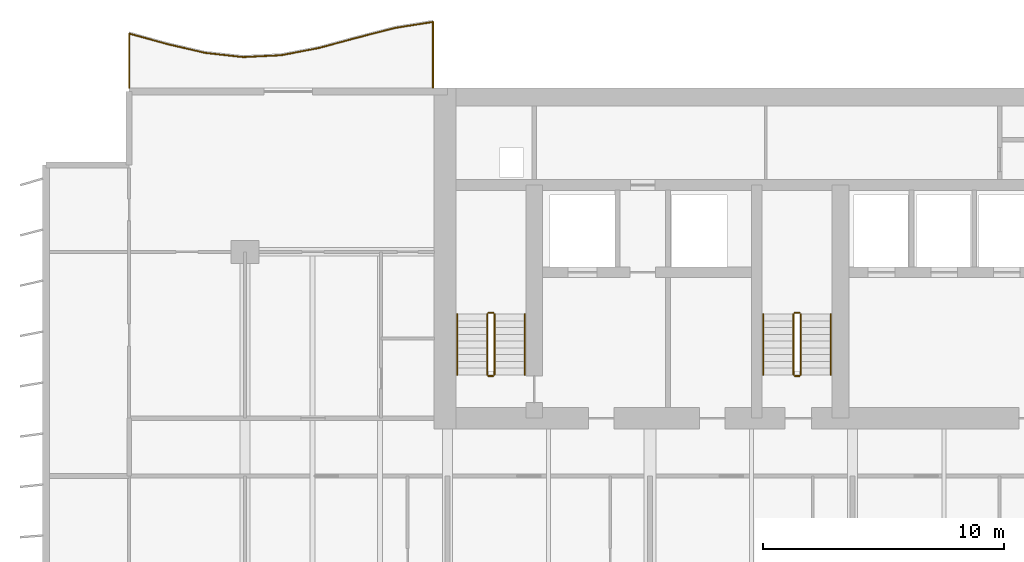
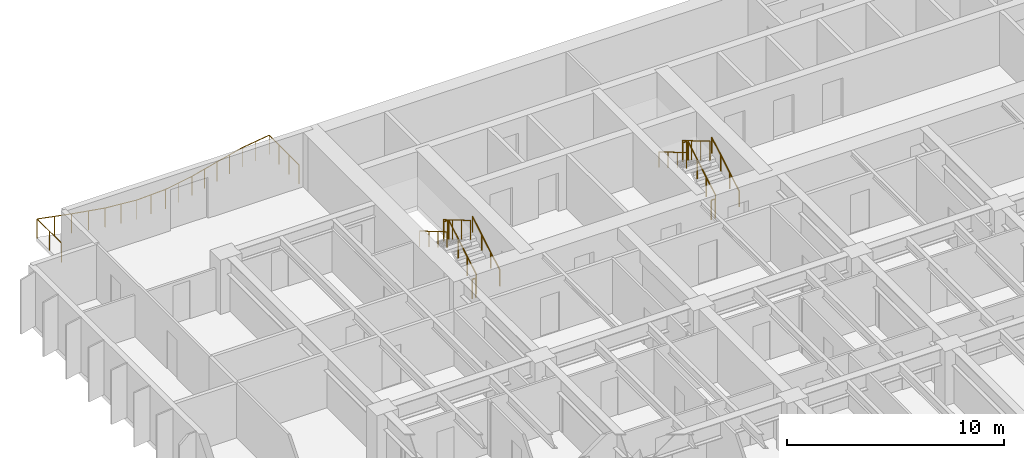
# One storey, part 16 of 18: 13 railings.
"""IFC4 building model written with IfcOpenShell, lengths in metres."""

from ifc_helpers import new_model, si_unit, direction, frame, origin, origin_2d, place, context, subcontext, project, spatial, circle, extrude, material, type_object, element, save


model = new_model("IFC4")

# Units and contexts
model_context = context("Model", 3, precision=1e-05, world=origin(), true_north=direction((0.0, 1.0)))
body_context = subcontext(model_context, "Body", "Model", "MODEL_VIEW")
ifc_project = project(units=[si_unit("LENGTHUNIT", "METRE"), si_unit("AREAUNIT", "SQUARE_METRE"), si_unit("VOLUMEUNIT", "CUBIC_METRE"), si_unit("PLANEANGLEUNIT", "RADIAN"), si_unit("MASSUNIT", "GRAM", prefix="KILO")], contexts=[model_context])

# Site, building, storey
site_placement = place(None, origin())
site = spatial("IfcSite", under=ifc_project, at=site_placement, CompositionType="ELEMENT")
building_placement = place(site_placement, origin())
building = spatial("IfcBuilding", under=site, at=building_placement, Name="Caelmar Bay Residences", CompositionType="ELEMENT")
storey_placement = place(building_placement, frame((0.0, 0.0, 36.60009765625)))
storey = spatial("IfcBuildingStorey", under=building, at=storey_placement, Name="L08", CompositionType="ELEMENT", Elevation=36.60009765625)

# Railings
ifc_material_1 = material(Name="Anodised bronze handrail with laminated hurricane glass infill", Category="glass")
railing_type_1 = type_object("IfcRailingType", Name="RL-BAL-1100", PredefinedType="BALUSTRADE", material=ifc_material_1)
railing_1_placement = place(storey_placement, frame((17.699951171875, 50.60009765625, 0.0)))
element("IfcRailing", 1, at=railing_1_placement, inside=storey, type_object=railing_type_1, Name="L08 north_west Balcony Balustrade", PredefinedType="BALUSTRADE", context=body_context, shape_type="SweptSolid", body=[
    extrude(circle(Radius=0.02392578125, at=origin_2d()), frame((0.0, 0.0, 1.076171875), z_axis=(0.0, 1.0, 0.0), x_axis=(-1.0, 0.0, 0.0)), (0.0, 0.0, 1.0), 2.733154296875),
    extrude(circle(Radius=0.02392578125, at=origin_2d()), frame((0.0, 2.733154296875, 1.076171875), z_axis=(-0.98772942327, -0.156174858431, 0.0), x_axis=(0.156174858431, -0.98772942327, 0.0)), (0.0, 0.0, 1.0), 1.594482421875),
    extrude(circle(Radius=0.02392578125, at=origin_2d()), frame((-1.574951171875, 2.484130859375, 1.076171875), z_axis=(-0.968414261795, -0.249346781715, 0.0), x_axis=(0.249346781715, -0.968414261795, 0.0)), (0.0, 0.0, 1.0), 1.626220703125),
    extrude(circle(Radius=0.02392578125, at=origin_2d()), frame((-3.14990234375, 2.07861328125, 1.076171875), z_axis=(-0.965420419953, -0.260697933895, 0.0), x_axis=(0.260697933895, -0.965420419953, 0.0)), (0.0, 0.0, 1.0), 1.63134765625),
    extrude(circle(Radius=0.02392578125, at=origin_2d()), frame((-4.724853515625, 1.6533203125, 1.076171875), z_axis=(-0.982140830907, -0.18814725155, 0.0), x_axis=(0.18814725155, -0.982140830907, 0.0)), (0.0, 0.0, 1.0), 1.603759765625),
    extrude(circle(Radius=0.02392578125, at=origin_2d()), frame((-6.300048828125, 1.3515625, 1.076171875), z_axis=(-0.998824997948, -0.048462598722, 0.0), x_axis=(0.048462598722, -0.998824997948, 0.0)), (0.0, 0.0, 1.0), 1.576904296875),
    extrude(circle(Radius=0.02392578125, at=origin_2d()), frame((-7.875, 1.275146484375, 1.076171875), z_axis=(-0.993913760533, 0.110160957802, 0.0), x_axis=(-0.110160957802, -0.993913760533, 0.0)), (0.0, 0.0, 1.0), 1.584716796875),
    extrude(circle(Radius=0.02392578125, at=origin_2d()), frame((-9.449951171875, 1.44970703125, 1.076171875), z_axis=(-0.973949121844, 0.226766637887, 0.0), x_axis=(-0.226766637887, -0.973949121844, 0.0)), (0.0, 0.0, 1.0), 1.6171875),
    extrude(circle(Radius=0.02392578125, at=origin_2d()), frame((-11.02490234375, 1.81640625, 1.076171875), z_axis=(-0.963861744869, 0.266402959402, 0.0), x_axis=(-0.266402959402, -0.963861744869, 0.0)), (0.0, 0.0, 1.0), 1.634033203125),
    extrude(circle(Radius=0.02392578125, at=origin_2d()), frame((-12.599853515625, 2.251708984375, 1.076171875), z_axis=(0.0, -1.0, 0.0), x_axis=(1.0, 0.0, 0.0)), (0.0, 0.0, 1.0), 2.251708984375),
    extrude(circle(Radius=0.02099609375, at=origin_2d()), origin(), (0.0, 0.0, 1.0), 1.052001953125),
    extrude(circle(Radius=0.02099609375, at=origin_2d()), frame((0.0, 0.9111328125, 0.0)), (0.0, 0.0, 1.0), 1.052001953125),
    extrude(circle(Radius=0.02099609375, at=origin_2d()), frame((0.0, 1.822021484375, 0.0)), (0.0, 0.0, 1.0), 1.052001953125),
    extrude(circle(Radius=0.02099609375, at=origin_2d()), frame((0.0, 2.733154296875, 0.0)), (0.0, 0.0, 1.0), 1.052001953125),
    extrude(circle(Radius=0.02099609375, at=origin_2d()), frame((-0.78759765625, 2.608642578125, 0.0)), (0.0, 0.0, 1.0), 1.052001953125),
    extrude(circle(Radius=0.02099609375, at=origin_2d()), frame((-1.574951171875, 2.484130859375, 0.0)), (0.0, 0.0, 1.0), 1.052001953125),
    extrude(circle(Radius=0.02099609375, at=origin_2d()), frame((-2.3623046875, 2.28125, 0.0)), (0.0, 0.0, 1.0), 1.052001953125),
    extrude(circle(Radius=0.02099609375, at=origin_2d()), frame((-3.14990234375, 2.07861328125, 0.0)), (0.0, 0.0, 1.0), 1.052001953125),
    extrude(circle(Radius=0.02099609375, at=origin_2d()), frame((-3.9375, 1.865966796875, 0.0)), (0.0, 0.0, 1.0), 1.052001953125),
    extrude(circle(Radius=0.02099609375, at=origin_2d()), frame((-4.724853515625, 1.6533203125, 0.0)), (0.0, 0.0, 1.0), 1.052001953125),
    extrude(circle(Radius=0.02099609375, at=origin_2d()), frame((-5.512451171875, 1.50244140625, 0.0)), (0.0, 0.0, 1.0), 1.052001953125),
    extrude(circle(Radius=0.02099609375, at=origin_2d()), frame((-6.300048828125, 1.3515625, 0.0)), (0.0, 0.0, 1.0), 1.052001953125),
    extrude(circle(Radius=0.02099609375, at=origin_2d()), frame((-7.08740234375, 1.3134765625, 0.0)), (0.0, 0.0, 1.0), 1.052001953125),
    extrude(circle(Radius=0.02099609375, at=origin_2d()), frame((-7.875, 1.275146484375, 0.0)), (0.0, 0.0, 1.0), 1.052001953125),
    extrude(circle(Radius=0.02099609375, at=origin_2d()), frame((-8.66259765625, 1.3623046875, 0.0)), (0.0, 0.0, 1.0), 1.052001953125),
    extrude(circle(Radius=0.02099609375, at=origin_2d()), frame((-9.449951171875, 1.44970703125, 0.0)), (0.0, 0.0, 1.0), 1.052001953125),
    extrude(circle(Radius=0.02099609375, at=origin_2d()), frame((-10.2373046875, 1.633056640625, 0.0)), (0.0, 0.0, 1.0), 1.052001953125),
    extrude(circle(Radius=0.02099609375, at=origin_2d()), frame((-11.02490234375, 1.81640625, 0.0)), (0.0, 0.0, 1.0), 1.052001953125),
    extrude(circle(Radius=0.02099609375, at=origin_2d()), frame((-11.8125, 2.0341796875, 0.0)), (0.0, 0.0, 1.0), 1.052001953125),
    extrude(circle(Radius=0.02099609375, at=origin_2d()), frame((-12.599853515625, 2.251708984375, 0.0)), (0.0, 0.0, 1.0), 1.052001953125),
    extrude(circle(Radius=0.02099609375, at=origin_2d()), frame((-12.599853515625, 1.1259765625, 0.0)), (0.0, 0.0, 1.0), 1.052001953125),
    extrude(circle(Radius=0.02099609375, at=origin_2d()), frame((-12.599853515625, 0.0, 0.0)), (0.0, 0.0, 1.0), 1.052001953125),
])
ifc_material_2 = material(Name="Painted galvanized steel stair guard 1100 mm", Category="steel")
railing_type_2 = type_object("IfcRailingType", Name="RL-GRD-1100", PredefinedType="GUARDRAIL", material=ifc_material_2)
railing_2_placement = place(storey_placement, frame((20.25, 38.699951171875, 0.164794921875)))
element("IfcRailing", 2, at=railing_2_placement, inside=storey, type_object=railing_type_2, Name="L08 ST1 stair guard 1", PredefinedType="GUARDRAIL", context=body_context, shape_type="SweptSolid", body=[
    extrude(circle(Radius=0.02392578125, at=origin_2d()), frame((0.0, 0.0, 1.076171875), z_axis=(0.0, 0.86152411907, 0.507716645641), x_axis=(-1.0, 0.0, 0.0)), (0.0, 0.0, 1.0), 2.925048828125),
    extrude(circle(Radius=0.02099609375, at=origin_2d()), origin(), (0.0, 0.0, 1.0), 1.052001953125),
    extrude(circle(Radius=0.02099609375, at=origin_2d()), frame((0.0, 0.840087890625, 0.4951171875)), (0.0, 0.0, 1.0), 1.052001953125),
    extrude(circle(Radius=0.02099609375, at=origin_2d()), frame((0.0, 1.679931640625, 0.989990234375)), (0.0, 0.0, 1.0), 1.052001953125),
    extrude(circle(Radius=0.02099609375, at=origin_2d()), frame((0.0, 2.52001953125, 1.485107421875)), (0.0, 0.0, 1.0), 1.052001953125),
])
railing_3_placement = place(storey_placement, frame((20.199951171875, 41.27001953125, 1.64990234375)))
element("IfcRailing", 3, at=railing_3_placement, inside=storey, type_object=railing_type_2, Name="L08 ST1 stair guard 2", PredefinedType="GUARDRAIL", context=body_context, shape_type="SweptSolid", body=[
    extrude(circle(Radius=0.02392578125, at=origin_2d()), frame((0.0, 0.0, 1.076171875), z_axis=(-1.0, 0.0, 0.0), x_axis=(0.0, -1.0, 0.0)), (0.0, 0.0, 1.0), 0.199951171875),
    extrude(circle(Radius=0.02099609375, at=origin_2d()), origin(), (0.0, 0.0, 1.0), 1.052001953125),
    extrude(circle(Radius=0.02099609375, at=origin_2d()), frame((-0.199951171875, 0.0, 0.0)), (0.0, 0.0, 1.0), 1.052001953125),
])
railing_4_placement = place(storey_placement, frame((19.949951171875, 41.219970703125, 1.81494140625)))
element("IfcRailing", 4, at=railing_4_placement, inside=storey, type_object=railing_type_2, Name="L08 ST1 stair guard 3", PredefinedType="GUARDRAIL", context=body_context, shape_type="SweptSolid", body=[
    extrude(circle(Radius=0.02392578125, at=origin_2d()), frame((0.0, 0.0, 1.076171875), z_axis=(0.0, -0.861560626758, 0.507654692109), x_axis=(1.0, 0.0, 0.0)), (0.0, 0.0, 1.0), 2.925048828125),
    extrude(circle(Radius=0.02099609375, at=origin_2d()), origin(), (0.0, 0.0, 1.0), 1.052001953125),
    extrude(circle(Radius=0.02099609375, at=origin_2d()), frame((0.0, -0.840087890625, 0.494873046875)), (0.0, 0.0, 1.0), 1.052001953125),
    extrude(circle(Radius=0.02099609375, at=origin_2d()), frame((0.0, -1.679931640625, 0.989990234375)), (0.0, 0.0, 1.0), 1.052001953125),
    extrude(circle(Radius=0.02099609375, at=origin_2d()), frame((0.0, -2.52001953125, 1.48486328125)), (0.0, 0.0, 1.0), 1.052001953125),
])
railing_5_placement = place(storey_placement, frame((20.199951171875, 38.64990234375, 0.0)))
element("IfcRailing", 5, at=railing_5_placement, inside=storey, type_object=railing_type_2, Name="L08 ST1 stair guard 4", PredefinedType="GUARDRAIL", context=body_context, shape_type="SweptSolid", body=[
    extrude(circle(Radius=0.02392578125, at=origin_2d()), frame((0.0, 0.0, 1.076171875), z_axis=(-1.0, 0.0, 0.0), x_axis=(0.0, -1.0, 0.0)), (0.0, 0.0, 1.0), 0.199951171875),
    extrude(circle(Radius=0.02099609375, at=origin_2d()), origin(), (0.0, 0.0, 1.0), 1.052001953125),
    extrude(circle(Radius=0.02099609375, at=origin_2d()), frame((-0.199951171875, 0.0, 0.0)), (0.0, 0.0, 1.0), 1.052001953125),
])
railing_6_placement = place(storey_placement, frame((32.949951171875, 38.699951171875, 0.164794921875)))
element("IfcRailing", 6, at=railing_6_placement, inside=storey, type_object=railing_type_2, Name="L08 ST3 stair guard 1", PredefinedType="GUARDRAIL", context=body_context, shape_type="SweptSolid", body=[
    extrude(circle(Radius=0.02392578125, at=origin_2d()), frame((0.0, 0.0, 1.076171875), z_axis=(0.0, 0.86152411907, 0.507716645641), x_axis=(-1.0, 0.0, 0.0)), (0.0, 0.0, 1.0), 2.925048828125),
    extrude(circle(Radius=0.02099609375, at=origin_2d()), origin(), (0.0, 0.0, 1.0), 1.052001953125),
    extrude(circle(Radius=0.02099609375, at=origin_2d()), frame((0.0, 0.840087890625, 0.4951171875)), (0.0, 0.0, 1.0), 1.052001953125),
    extrude(circle(Radius=0.02099609375, at=origin_2d()), frame((0.0, 1.679931640625, 0.989990234375)), (0.0, 0.0, 1.0), 1.052001953125),
    extrude(circle(Radius=0.02099609375, at=origin_2d()), frame((0.0, 2.52001953125, 1.485107421875)), (0.0, 0.0, 1.0), 1.052001953125),
])
railing_7_placement = place(storey_placement, frame((32.89990234375, 41.27001953125, 1.64990234375)))
element("IfcRailing", 7, at=railing_7_placement, inside=storey, type_object=railing_type_2, Name="L08 ST3 stair guard 2", PredefinedType="GUARDRAIL", context=body_context, shape_type="SweptSolid", body=[
    extrude(circle(Radius=0.02392578125, at=origin_2d()), frame((0.0, 0.0, 1.076171875), z_axis=(-1.0, 0.0, 0.0), x_axis=(0.0, -1.0, 0.0)), (0.0, 0.0, 1.0), 0.199951171875),
    extrude(circle(Radius=0.02099609375, at=origin_2d()), origin(), (0.0, 0.0, 1.0), 1.052001953125),
    extrude(circle(Radius=0.02099609375, at=origin_2d()), frame((-0.199951171875, 0.0, 0.0)), (0.0, 0.0, 1.0), 1.052001953125),
])
railing_8_placement = place(storey_placement, frame((32.64990234375, 41.219970703125, 1.81494140625)))
element("IfcRailing", 8, at=railing_8_placement, inside=storey, type_object=railing_type_2, Name="L08 ST3 stair guard 3", PredefinedType="GUARDRAIL", context=body_context, shape_type="SweptSolid", body=[
    extrude(circle(Radius=0.02392578125, at=origin_2d()), frame((0.0, 0.0, 1.076171875), z_axis=(0.0, -0.861560626758, 0.507654692109), x_axis=(1.0, 0.0, 0.0)), (0.0, 0.0, 1.0), 2.925048828125),
    extrude(circle(Radius=0.02099609375, at=origin_2d()), origin(), (0.0, 0.0, 1.0), 1.052001953125),
    extrude(circle(Radius=0.02099609375, at=origin_2d()), frame((0.0, -0.840087890625, 0.494873046875)), (0.0, 0.0, 1.0), 1.052001953125),
    extrude(circle(Radius=0.02099609375, at=origin_2d()), frame((0.0, -1.679931640625, 0.989990234375)), (0.0, 0.0, 1.0), 1.052001953125),
    extrude(circle(Radius=0.02099609375, at=origin_2d()), frame((0.0, -2.52001953125, 1.48486328125)), (0.0, 0.0, 1.0), 1.052001953125),
])
railing_9_placement = place(storey_placement, frame((32.89990234375, 38.64990234375, 0.0)))
element("IfcRailing", 9, at=railing_9_placement, inside=storey, type_object=railing_type_2, Name="L08 ST3 stair guard 4", PredefinedType="GUARDRAIL", context=body_context, shape_type="SweptSolid", body=[
    extrude(circle(Radius=0.02392578125, at=origin_2d()), frame((0.0, 0.0, 1.076171875), z_axis=(-1.0, 0.0, 0.0), x_axis=(0.0, -1.0, 0.0)), (0.0, 0.0, 1.0), 0.199951171875),
    extrude(circle(Radius=0.02099609375, at=origin_2d()), origin(), (0.0, 0.0, 1.0), 1.052001953125),
    extrude(circle(Radius=0.02099609375, at=origin_2d()), frame((-0.199951171875, 0.0, 0.0)), (0.0, 0.0, 1.0), 1.052001953125),
])
ifc_material_3 = material(Name="Brushed bronze stainless-steel tubular handrail 900 mm", Category="steel")
railing_type_3 = type_object("IfcRailingType", Name="RL-HND-900", PredefinedType="HANDRAIL", material=ifc_material_3)
railing_10_placement = place(storey_placement, frame((21.5, 38.699951171875, 0.164794921875)))
element("IfcRailing", 10, at=railing_10_placement, inside=storey, type_object=railing_type_3, Name="L08 ST1 stair handrail 1", PredefinedType="HANDRAIL", context=body_context, shape_type="SweptSolid", body=[
    extrude(circle(Radius=0.02392578125, at=origin_2d()), frame((0.0, 0.0, 0.8759765625), z_axis=(0.0, 0.86152411907, 0.507716645641), x_axis=(-1.0, 0.0, 0.0)), (0.0, 0.0, 1.0), 2.925048828125),
    extrude(circle(Radius=0.02099609375, at=origin_2d()), origin(), (0.0, 0.0, 1.0), 0.851806640625),
    extrude(circle(Radius=0.02099609375, at=origin_2d()), frame((0.0, 0.840087890625, 0.4951171875)), (0.0, 0.0, 1.0), 0.851806640625),
    extrude(circle(Radius=0.02099609375, at=origin_2d()), frame((0.0, 1.679931640625, 0.989990234375)), (0.0, 0.0, 1.0), 0.851806640625),
    extrude(circle(Radius=0.02099609375, at=origin_2d()), frame((0.0, 2.52001953125, 1.485107421875)), (0.0, 0.0, 1.0), 0.851806640625),
])
railing_11_placement = place(storey_placement, frame((18.699951171875, 41.219970703125, 1.81494140625)))
element("IfcRailing", 11, at=railing_11_placement, inside=storey, type_object=railing_type_3, Name="L08 ST1 stair handrail 2", PredefinedType="HANDRAIL", context=body_context, shape_type="SweptSolid", body=[
    extrude(circle(Radius=0.02392578125, at=origin_2d()), frame((0.0, 0.0, 0.8759765625), z_axis=(0.0, -0.861560626758, 0.507654692109), x_axis=(1.0, 0.0, 0.0)), (0.0, 0.0, 1.0), 2.925048828125),
    extrude(circle(Radius=0.02099609375, at=origin_2d()), origin(), (0.0, 0.0, 1.0), 0.851806640625),
    extrude(circle(Radius=0.02099609375, at=origin_2d()), frame((0.0, -0.840087890625, 0.494873046875)), (0.0, 0.0, 1.0), 0.851806640625),
    extrude(circle(Radius=0.02099609375, at=origin_2d()), frame((0.0, -1.679931640625, 0.989990234375)), (0.0, 0.0, 1.0), 0.851806640625),
    extrude(circle(Radius=0.02099609375, at=origin_2d()), frame((0.0, -2.52001953125, 1.48486328125)), (0.0, 0.0, 1.0), 0.851806640625),
])
railing_12_placement = place(storey_placement, frame((34.199951171875, 38.699951171875, 0.164794921875)))
element("IfcRailing", 12, at=railing_12_placement, inside=storey, type_object=railing_type_3, Name="L08 ST3 stair handrail 1", PredefinedType="HANDRAIL", context=body_context, shape_type="SweptSolid", body=[
    extrude(circle(Radius=0.02392578125, at=origin_2d()), frame((0.0, 0.0, 0.8759765625), z_axis=(0.0, 0.86152411907, 0.507716645641), x_axis=(-1.0, 0.0, 0.0)), (0.0, 0.0, 1.0), 2.925048828125),
    extrude(circle(Radius=0.02099609375, at=origin_2d()), origin(), (0.0, 0.0, 1.0), 0.851806640625),
    extrude(circle(Radius=0.02099609375, at=origin_2d()), frame((0.0, 0.840087890625, 0.4951171875)), (0.0, 0.0, 1.0), 0.851806640625),
    extrude(circle(Radius=0.02099609375, at=origin_2d()), frame((0.0, 1.679931640625, 0.989990234375)), (0.0, 0.0, 1.0), 0.851806640625),
    extrude(circle(Radius=0.02099609375, at=origin_2d()), frame((0.0, 2.52001953125, 1.485107421875)), (0.0, 0.0, 1.0), 0.851806640625),
])
railing_13_placement = place(storey_placement, frame((31.39990234375, 41.219970703125, 1.81494140625)))
element("IfcRailing", 13, at=railing_13_placement, inside=storey, type_object=railing_type_3, Name="L08 ST3 stair handrail 2", PredefinedType="HANDRAIL", context=body_context, shape_type="SweptSolid", body=[
    extrude(circle(Radius=0.02392578125, at=origin_2d()), frame((0.0, 0.0, 0.8759765625), z_axis=(0.0, -0.861560626758, 0.507654692109), x_axis=(1.0, 0.0, 0.0)), (0.0, 0.0, 1.0), 2.925048828125),
    extrude(circle(Radius=0.02099609375, at=origin_2d()), origin(), (0.0, 0.0, 1.0), 0.851806640625),
    extrude(circle(Radius=0.02099609375, at=origin_2d()), frame((0.0, -0.840087890625, 0.494873046875)), (0.0, 0.0, 1.0), 0.851806640625),
    extrude(circle(Radius=0.02099609375, at=origin_2d()), frame((0.0, -1.679931640625, 0.989990234375)), (0.0, 0.0, 1.0), 0.851806640625),
    extrude(circle(Radius=0.02099609375, at=origin_2d()), frame((0.0, -2.52001953125, 1.48486328125)), (0.0, 0.0, 1.0), 0.851806640625),
])

save(model, "model.ifc")
